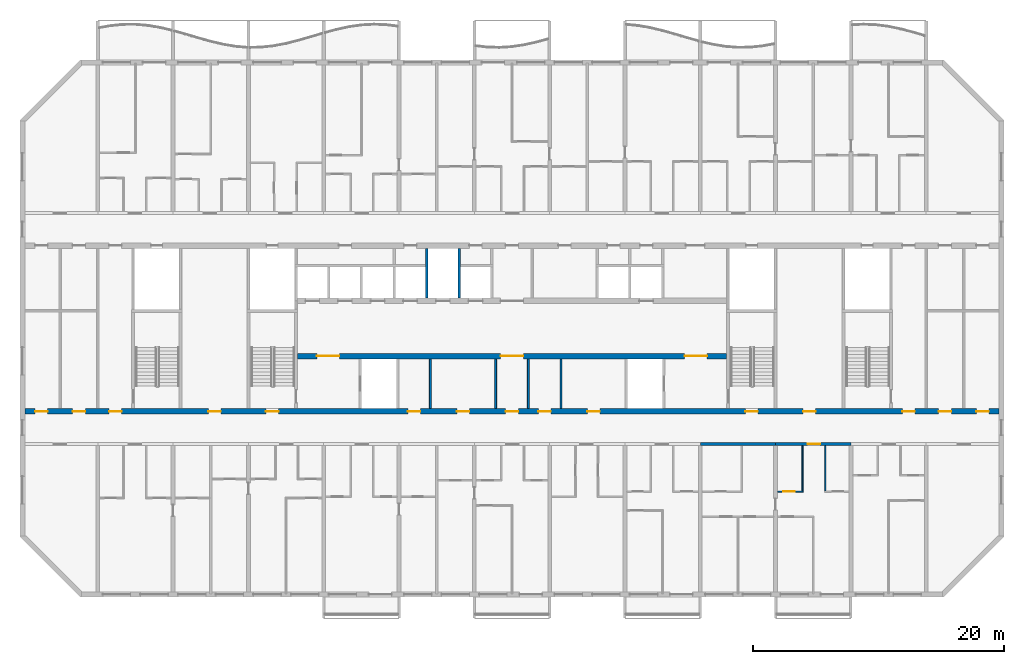
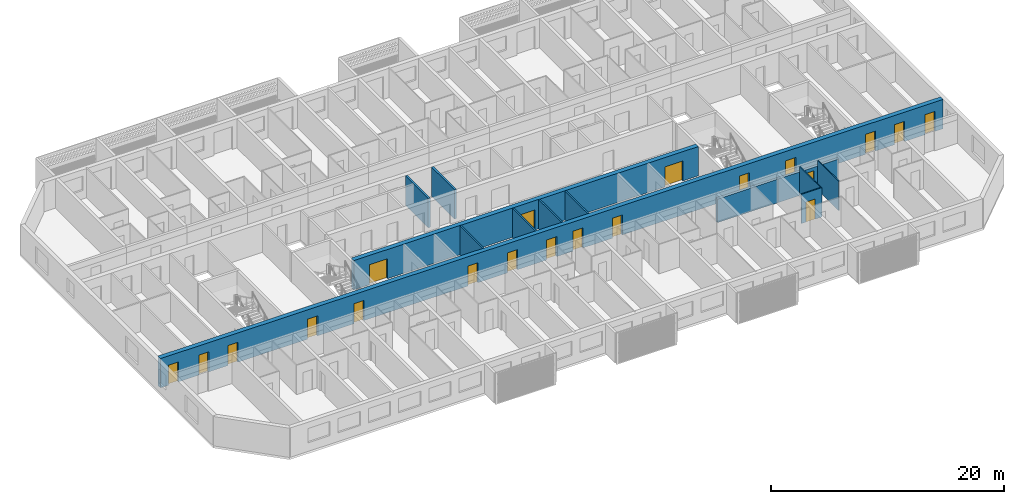
# One storey, part 6 of 32: 20 doors, 13 walls, 20 openings.
"""IFC4 building model written with IfcOpenShell, lengths in metres."""

from ifc_helpers import new_model, si_unit, direction, frame, frame_2d, origin, place, context, subcontext, project, spatial, rectangle, extrude, material, layer, layer_set, type_object, element, fill, save


model = new_model("IFC4")

# Units and contexts
model_context = context("Model", 3, precision=1e-05, world=origin(), true_north=direction((0.0, 1.0)))
body_context = subcontext(model_context, "Body", "Model", "MODEL_VIEW")
ifc_project = project(units=[si_unit("LENGTHUNIT", "METRE"), si_unit("AREAUNIT", "SQUARE_METRE"), si_unit("VOLUMEUNIT", "CUBIC_METRE"), si_unit("PLANEANGLEUNIT", "RADIAN"), si_unit("MASSUNIT", "GRAM", prefix="KILO")], contexts=[model_context])

# Site, building, storey
site_placement = place(None, origin())
site = spatial("IfcSite", under=ifc_project, at=site_placement, CompositionType="ELEMENT")
building_placement = place(site_placement, origin())
building = spatial("IfcBuilding", under=site, at=building_placement, Name="Poui Terraces", CompositionType="ELEMENT")
storey_placement = place(building_placement, frame((0.0, 0.0, 125.699951171875)))
storey = spatial("IfcBuildingStorey", under=building, at=storey_placement, Name="L34", CompositionType="ELEMENT", Elevation=125.699951171875)

# Wall, openings, doors
ifc_material_1 = material(Name="Concrete 65 MPa", Category="concrete")
ifc_layer_1 = layer(ifc_material_1, 0.449951171875)
ifc_layer_set_1 = layer_set([ifc_layer_1], Name="Concrete 65 MPa")
wall_type_1 = type_object("IfcWallType", Name="CORE WALL 450 65 MPA", PredefinedType="SOLIDWALL", material=ifc_layer_set_1)
wall_1_placement = place(storey_placement, frame((33.925048828125, 19.0, 0.0), z_axis=(0.0, 0.0, 1.0), x_axis=(1.0, 0.0, 0.0)))
wall_1 = element("IfcWall", 1, at=wall_1_placement, inside=storey, type_object=wall_type_1, Name="CORE WALL", PredefinedType="SOLIDWALL", context=body_context, shape_type="SweptSolid", body=[
    extrude(rectangle(XDim=34.14990234375, YDim=0.449951171875, at=frame_2d((17.074951171875, 0.0))), origin(), (0.0, 0.0, 1.0), 3.070068359375),
])
opening_1_placement = place(wall_1_placement, frame((16.175048828125, 0.0, 0.0)))
opening_1 = element("IfcOpeningElement", 2, at=opening_1_placement, cuts=wall_1, Name="Opening FDD60", PredefinedType="OPENING", context=body_context, shape_type="SweptSolid", body=[
    extrude(rectangle(XDim=1.800048828125, YDim=2.10009765625, at=frame_2d((0.89990234375, 1.050048828125))), frame((0.0, 0.23486328125, 0.0), z_axis=(0.0, -1.0, 0.0), x_axis=(1.0, 0.0, 0.0)), (0.0, 0.0, 1.0), 0.469970703125),
])
opening_2_placement = place(wall_1_placement, frame((1.52490234375, 0.0, 0.0)))
opening_2 = element("IfcOpeningElement", 3, at=opening_2_placement, cuts=wall_1, Name="Opening FDD60", PredefinedType="OPENING", context=body_context, shape_type="SweptSolid", body=[
    extrude(rectangle(XDim=1.800048828125, YDim=2.10009765625, at=frame_2d((0.89990234375, 1.050048828125))), frame((0.0, 0.23486328125, 0.0), z_axis=(0.0, -1.0, 0.0), x_axis=(1.0, 0.0, 0.0)), (0.0, 0.0, 1.0), 0.469970703125),
])
opening_3_placement = place(wall_1_placement, frame((30.824951171875, 0.0, 0.0)))
opening_3 = element("IfcOpeningElement", 4, at=opening_3_placement, cuts=wall_1, Name="Opening FDD60", PredefinedType="OPENING", context=body_context, shape_type="SweptSolid", body=[
    extrude(rectangle(XDim=1.800048828125, YDim=2.10009765625, at=frame_2d((0.89990234375, 1.050048828125))), frame((0.0, 0.23486328125, 0.0), z_axis=(0.0, -1.0, 0.0), x_axis=(1.0, 0.0, 0.0)), (0.0, 0.0, 1.0), 0.469970703125),
])
ifc_material_2 = material(Name="Steel fire door", Category="steel")
door_type_1 = type_object("IfcDoorType", Name="DOUBLE LOBBY FIRE DOOR 1800 X 2100", OperationType="DOUBLE_DOOR_SINGLE_SWING", PredefinedType="DOOR", material=ifc_material_2)
door_1_placement = place(opening_1_placement, frame((1.800048828125, 0.0, 0.0), z_axis=(0.0, 0.0, 1.0), x_axis=(-1.0, 0.0, 0.0)))
door_1 = element("IfcDoor", 5, at=door_1_placement, inside=storey, type_object=door_type_1, Name="DOUBLE LOBBY FIRE DOOR 126", OperationType="DOUBLE_DOOR_SINGLE_SWING", OverallHeight=2.10009765625, OverallWidth=1.800048828125, PredefinedType="DOOR", context=body_context, shape_type="SweptSolid", body=[
    extrude(rectangle(XDim=1.800048828125, YDim=2.10009765625, at=frame_2d((0.89990234375, 1.050048828125))), frame((0.0, 0.02490234375, 0.0), z_axis=(0.0, -1.0, 0.0), x_axis=(1.0, 0.0, 0.0)), (0.0, 0.0, 1.0), 0.050048828125),
])
fill(opening_1, door_1)
door_2_placement = place(opening_2_placement, origin())
door_2 = element("IfcDoor", 6, at=door_2_placement, inside=storey, type_object=door_type_1, Name="DOUBLE LOBBY FIRE DOOR 128", OperationType="DOUBLE_DOOR_SINGLE_SWING", OverallHeight=2.10009765625, OverallWidth=1.800048828125, PredefinedType="DOOR", context=body_context, shape_type="SweptSolid", body=[
    extrude(rectangle(XDim=1.800048828125, YDim=2.10009765625, at=frame_2d((0.89990234375, 1.050048828125))), frame((0.0, 0.02490234375, 0.0), z_axis=(0.0, -1.0, 0.0), x_axis=(1.0, 0.0, 0.0)), (0.0, 0.0, 1.0), 0.050048828125),
])
fill(opening_2, door_2)
door_3_placement = place(opening_3_placement, origin())
door_3 = element("IfcDoor", 7, at=door_3_placement, inside=storey, type_object=door_type_1, Name="DOUBLE LOBBY FIRE DOOR 135", OperationType="DOUBLE_DOOR_SINGLE_SWING", OverallHeight=2.10009765625, OverallWidth=1.800048828125, PredefinedType="DOOR", context=body_context, shape_type="SweptSolid", body=[
    extrude(rectangle(XDim=1.800048828125, YDim=2.10009765625, at=frame_2d((0.89990234375, 1.050048828125))), frame((0.0, 0.02490234375, 0.0), z_axis=(0.0, -1.0, 0.0), x_axis=(1.0, 0.0, 0.0)), (0.0, 0.0, 1.0), 0.050048828125),
])
fill(opening_3, door_3)

# Walls
ifc_material_3 = material(Name="Fire-rated plasterboard wall")
ifc_layer_2 = layer(ifc_material_3, 0.14990234375)
ifc_layer_set_2 = layer_set([ifc_layer_2], Name="Fire-rated plasterboard wall")
wall_type_2 = type_object("IfcWallType", Name="CORRIDOR WALL 150", PredefinedType="PARTITIONING", material=ifc_layer_set_2)
for number, where, z_axis, x_axis, name in (
    (8, (49.699951171875, 14.8349609375, 0.0), (0.0, 0.0, 1.0), (0.0, 1.0, 0.0), "CORRIDOR WALL 150"),
    (9, (52.300048828125, 14.8349609375, 0.0), (0.0, 0.0, 1.0), (0.0, 1.0, 0.0), "CORRIDOR WALL 150"),
):
    element("IfcWall", number, at=place(storey_placement, frame(where, z_axis=z_axis, x_axis=x_axis)), inside=storey, type_object=wall_type_2, Name=name, PredefinedType="PARTITIONING", context=body_context, shape_type="SweptSolid", body=[
        extrude(rectangle(XDim=3.929931640625, YDim=0.14990234375, at=frame_2d((1.96484375, 0.0))), origin(), (0.0, 0.0, 1.0), 3.070068359375),
    ])
ifc_layer_3 = layer(ifc_material_1, 0.25)
ifc_layer_set_3 = layer_set([ifc_layer_3], Name="Concrete 65 MPa")
wall_type_3 = type_object("IfcWallType", Name="CORRIDOR WALL 250 65MPa", PredefinedType="SHEAR", material=ifc_layer_set_3)
wall_2_placement = place(storey_placement, frame((66.0, 12.0, 0.0), z_axis=(0.0, 0.0, 1.0), x_axis=(1.0, 0.0, 0.0)))
element("IfcWall", 10, at=wall_2_placement, inside=storey, type_object=wall_type_3, Name="CORRIDOR WALL LINE B BAY 10", PredefinedType="SHEAR", context=body_context, shape_type="SweptSolid", body=[
    extrude(rectangle(XDim=6.0, YDim=0.25, at=frame_2d((3.0, 0.0))), origin(), (0.0, 0.0, 1.0), 2.469970703125),
])

# Wall, opening, door
wall_3_placement = place(storey_placement, frame((72.0, 12.0, 0.0), z_axis=(0.0, 0.0, 1.0), x_axis=(1.0, 0.0, 0.0)))
wall_3 = element("IfcWall", 11, at=wall_3_placement, inside=storey, type_object=wall_type_3, Name="CORRIDOR WALL LINE B BAY 11", PredefinedType="SHEAR", context=body_context, shape_type="SweptSolid", body=[
    extrude(rectangle(XDim=6.0, YDim=0.25, at=frame_2d((3.0, 0.0))), origin(), (0.0, 0.0, 1.0), 2.469970703125),
])
opening_4_placement = place(wall_3_placement, frame((2.550048828125, 0.0, 0.0)))
opening_4 = element("IfcOpeningElement", 12, at=opening_4_placement, cuts=wall_3, Name="Opening FD30S", PredefinedType="OPENING", context=body_context, shape_type="SweptSolid", body=[
    extrude(rectangle(XDim=1.0, YDim=2.10009765625, at=frame_2d((0.5, 1.050048828125))), frame((0.0, 0.135009765625, 0.0), z_axis=(0.0, -1.0, 0.0), x_axis=(1.0, 0.0, 0.0)), (0.0, 0.0, 1.0), 0.27001953125),
])
door_type_2 = type_object("IfcDoorType", Name="FLAT ENTRANCE DOOR 1000 X 2100", OperationType="NOTDEFINED", PredefinedType="DOOR", material=ifc_material_2)
door_4_placement = place(opening_4_placement, frame((1.0, 0.0, 0.0), z_axis=(0.0, 0.0, 1.0), x_axis=(-1.0, 0.0, 0.0)))
door_4 = element("IfcDoor", 13, at=door_4_placement, inside=storey, type_object=door_type_2, Name="FLAT ENTRANCE DOOR 114", OperationType="SINGLE_SWING_LEFT", OverallHeight=2.10009765625, OverallWidth=1.0, PredefinedType="DOOR", context=body_context, shape_type="SweptSolid", body=[
    extrude(rectangle(XDim=1.0, YDim=2.10009765625, at=frame_2d((0.5, 1.050048828125))), frame((0.0, 0.02490234375, 0.0), z_axis=(0.0, -1.0, 0.0), x_axis=(1.0, 0.0, 0.0)), (0.0, 0.0, 1.0), 0.050048828125),
])
fill(opening_4, door_4)

ifc_material_4 = material(Name="Plasterboard partition")
ifc_layer_4 = layer(ifc_material_4, 0.10009765625)
ifc_layer_set_4 = layer_set([ifc_layer_4], Name="Plasterboard partition")
wall_type_4 = type_object("IfcWallType", Name="FLAT PARTITION 100", PredefinedType="PARTITIONING", material=ifc_layer_set_4)
wall_4_placement = place(storey_placement, frame((72.159912109375, 8.199951171875, 0.0), z_axis=(0.0, 0.0, 1.0), x_axis=(1.0, 0.0, 0.0)))
wall_4 = element("IfcWall", 14, at=wall_4_placement, inside=storey, type_object=wall_type_4, Name="FLAT PARTITION 100", PredefinedType="PARTITIONING", context=body_context, shape_type="SweptSolid", body=[
    extrude(rectangle(XDim=2.0400390625, YDim=0.10009765625, at=frame_2d((1.02001953125, 0.0))), origin(), (0.0, 0.0, 1.0), 3.070068359375),
])
opening_5_placement = place(wall_4_placement, frame((0.465087890625, 0.0, 0.0)))
opening_5 = element("IfcOpeningElement", 15, at=opening_5_placement, cuts=wall_4, Name="Opening D90", PredefinedType="OPENING", context=body_context, shape_type="SweptSolid", body=[
    extrude(rectangle(XDim=0.89990234375, YDim=2.10009765625, at=frame_2d((0.449951171875, 1.050048828125))), frame((0.0, 0.06005859375, 0.0), z_axis=(0.0, -1.0, 0.0), x_axis=(1.0, 0.0, 0.0)), (0.0, 0.0, 1.0), 0.1201171875),
])
ifc_material_5 = material(Name="Solid core timber door", Category="wood")
door_type_3 = type_object("IfcDoorType", Name="INTERNAL DOOR 900 X 2100", OperationType="NOTDEFINED", PredefinedType="DOOR", material=ifc_material_5)
door_5_placement = place(opening_5_placement, origin())
door_5 = element("IfcDoor", 16, at=door_5_placement, inside=storey, type_object=door_type_3, Name="INTERNAL DOOR 113", OperationType="SINGLE_SWING_LEFT", OverallHeight=2.10009765625, OverallWidth=0.89990234375, PredefinedType="DOOR", context=body_context, shape_type="SweptSolid", body=[
    extrude(rectangle(XDim=0.89990234375, YDim=2.10009765625, at=frame_2d((0.449951171875, 1.050048828125))), frame((0.0, 0.02490234375, 0.0), z_axis=(0.0, -1.0, 0.0), x_axis=(1.0, 0.0, 0.0)), (0.0, 0.0, 1.0), 0.050048828125),
])
fill(opening_5, door_5)

# Walls
for number, where, z_axis, x_axis, name in (
    (17, (74.14990234375, 8.25, 0.0), (0.0, 0.0, 1.0), (0.0, 1.0, 0.0), "FLAT PARTITION 100"),
    (18, (75.949951171875, 8.25, 0.0), (0.0, 0.0, 1.0), (0.0, 1.0, 0.0), "FLAT PARTITION 100"),
):
    element("IfcWall", number, at=place(storey_placement, frame(where, z_axis=z_axis, x_axis=x_axis)), inside=storey, type_object=wall_type_4, Name=name, PredefinedType="PARTITIONING", context=body_context, shape_type="SweptSolid", body=[
        extrude(rectangle(XDim=3.614990234375, YDim=0.10009765625, at=frame_2d((1.8076171875, 0.0))), origin(), (0.0, 0.0, 1.0), 3.070068359375),
    ])
ifc_layer_5 = layer(ifc_material_4, 0.14990234375)
ifc_layer_set_5 = layer_set([ifc_layer_5], Name="Plasterboard partition")
wall_type_5 = type_object("IfcWallType", Name="PARTITION WALL 150", PredefinedType="PARTITIONING", material=ifc_layer_set_5)
for number, where, z_axis, x_axis, name in (
    (19, (44.5, 14.8349609375, 0.0), (0.0, 0.0, 1.0), (0.0, 1.0, 0.0), "PARTITION WALL 150"),
    (20, (54.89990234375, 14.8349609375, 0.0), (0.0, 0.0, 1.0), (0.0, 1.0, 0.0), "PARTITION WALL 150"),
):
    element("IfcWall", number, at=place(storey_placement, frame(where, z_axis=z_axis, x_axis=x_axis)), inside=storey, type_object=wall_type_5, Name=name, PredefinedType="PARTITIONING", context=body_context, shape_type="SweptSolid", body=[
        extrude(rectangle(XDim=3.929931640625, YDim=0.14990234375, at=frame_2d((1.96484375, 0.0))), origin(), (0.0, 0.0, 1.0), 3.070068359375),
    ])
ifc_material_6 = material(Name="Fire-rated masonry shaft wall", Category="masonry")
ifc_layer_6 = layer(ifc_material_6, 0.199951171875)
ifc_layer_set_6 = layer_set([ifc_layer_6], Name="Fire-rated masonry shaft wall")
wall_type_6 = type_object("IfcWallType", Name="SHAFT WALL 200", PredefinedType="PARTITIONING", material=ifc_layer_set_6)
for number, where, z_axis, x_axis, name in (
    (21, (44.199951171875, 23.635009765625, 0.0), (0.0, 0.0, 1.0), (0.0, 1.0, 0.0), "SHAFT WALL 200"),
    (22, (46.800048828125, 23.635009765625, 0.0), (0.0, 0.0, 1.0), (0.0, 1.0, 0.0), "SHAFT WALL 200"),
):
    element("IfcWall", number, at=place(storey_placement, frame(where, z_axis=z_axis, x_axis=x_axis)), inside=storey, type_object=wall_type_6, Name=name, PredefinedType="PARTITIONING", context=body_context, shape_type="SweptSolid", body=[
        extrude(rectangle(XDim=3.929931640625, YDim=0.199951171875, at=frame_2d((1.96484375, 0.0))), origin(), (0.0, 0.0, 1.0), 3.070068359375),
    ])

# Wall, openings, doors
ifc_layer_7 = layer(ifc_material_1, 0.449951171875)
ifc_layer_set_7 = layer_set([ifc_layer_7], Name="Concrete 65 MPa")
wall_type_7 = type_object("IfcWallType", Name="SPINE WALL 450 65 MPA", PredefinedType="SOLIDWALL", material=ifc_layer_set_7)
wall_5_placement = place(storey_placement, frame((12.199951171875, 14.60009765625, 0.0), z_axis=(0.0, 0.0, 1.0), x_axis=(1.0, 0.0, 0.0)))
wall_5 = element("IfcWall", 23, at=wall_5_placement, inside=storey, type_object=wall_type_7, Name="SPINE WALL", PredefinedType="SOLIDWALL", context=body_context, shape_type="SweptSolid", body=[
    extrude(rectangle(XDim=77.60009765625, YDim=0.449951171875, at=frame_2d((38.800048828125, 0.0))), origin(), (0.0, 0.0, 1.0), 3.070068359375),
])
opening_6_placement = place(wall_5_placement, frame((0.800048828125, 0.0, 0.0)))
opening_6 = element("IfcOpeningElement", 24, at=opening_6_placement, cuts=wall_5, Name="Opening D100", PredefinedType="OPENING", context=body_context, shape_type="SweptSolid", body=[
    extrude(rectangle(XDim=1.0, YDim=2.10009765625, at=frame_2d((0.5, 1.050048828125))), frame((0.0, 0.23486328125, 0.0), z_axis=(0.0, -1.0, 0.0), x_axis=(1.0, 0.0, 0.0)), (0.0, 0.0, 1.0), 0.469970703125),
])
opening_7_placement = place(wall_5_placement, frame((3.800048828125, 0.0, 0.0)))
opening_7 = element("IfcOpeningElement", 25, at=opening_7_placement, cuts=wall_5, Name="Opening FD60", PredefinedType="OPENING", context=body_context, shape_type="SweptSolid", body=[
    extrude(rectangle(XDim=1.0, YDim=2.10009765625, at=frame_2d((0.5, 1.050048828125))), frame((0.0, 0.23486328125, 0.0), z_axis=(0.0, -1.0, 0.0), x_axis=(1.0, 0.0, 0.0)), (0.0, 0.0, 1.0), 0.469970703125),
])
opening_8_placement = place(wall_5_placement, frame((6.699951171875, 0.0, 0.0)))
opening_8 = element("IfcOpeningElement", 26, at=opening_8_placement, cuts=wall_5, Name="Opening FDL", PredefinedType="OPENING", context=body_context, shape_type="SweptSolid", body=[
    extrude(rectangle(XDim=1.0, YDim=2.10009765625, at=frame_2d((0.5, 1.050048828125))), frame((0.0, 0.23486328125, 0.0), z_axis=(0.0, -1.0, 0.0), x_axis=(1.0, 0.0, 0.0)), (0.0, 0.0, 1.0), 0.469970703125),
])
opening_9_placement = place(wall_5_placement, frame((14.60009765625, 0.0, 0.0)))
opening_9 = element("IfcOpeningElement", 27, at=opening_9_placement, cuts=wall_5, Name="Opening D100", PredefinedType="OPENING", context=body_context, shape_type="SweptSolid", body=[
    extrude(rectangle(XDim=1.0, YDim=2.10009765625, at=frame_2d((0.5, 1.050048828125))), frame((0.0, 0.23486328125, 0.0), z_axis=(0.0, -1.0, 0.0), x_axis=(1.0, 0.0, 0.0)), (0.0, 0.0, 1.0), 0.469970703125),
])
opening_10_placement = place(wall_5_placement, frame((19.199951171875, 0.0, 0.0)))
opening_10 = element("IfcOpeningElement", 28, at=opening_10_placement, cuts=wall_5, Name="Opening FD60S", PredefinedType="OPENING", context=body_context, shape_type="SweptSolid", body=[
    extrude(rectangle(XDim=1.0, YDim=2.10009765625, at=frame_2d((0.5, 1.050048828125))), frame((0.0, 0.23486328125, 0.0), z_axis=(0.0, -1.0, 0.0), x_axis=(1.0, 0.0, 0.0)), (0.0, 0.0, 1.0), 0.469970703125),
])
opening_11_placement = place(wall_5_placement, frame((30.5, 0.0, 0.0)))
opening_11 = element("IfcOpeningElement", 29, at=opening_11_placement, cuts=wall_5, Name="Opening FD60", PredefinedType="OPENING", context=body_context, shape_type="SweptSolid", body=[
    extrude(rectangle(XDim=1.0, YDim=2.10009765625, at=frame_2d((0.5, 1.050048828125))), frame((0.0, 0.23486328125, 0.0), z_axis=(0.0, -1.0, 0.0), x_axis=(1.0, 0.0, 0.0)), (0.0, 0.0, 1.0), 0.469970703125),
])
opening_12_placement = place(wall_5_placement, frame((34.39990234375, 0.0, 0.0)))
opening_12 = element("IfcOpeningElement", 30, at=opening_12_placement, cuts=wall_5, Name="Opening FD60", PredefinedType="OPENING", context=body_context, shape_type="SweptSolid", body=[
    extrude(rectangle(XDim=1.0, YDim=2.10009765625, at=frame_2d((0.5, 1.050048828125))), frame((0.0, 0.23486328125, 0.0), z_axis=(0.0, -1.0, 0.0), x_axis=(1.0, 0.0, 0.0)), (0.0, 0.0, 1.0), 0.469970703125),
])
opening_13_placement = place(wall_5_placement, frame((38.300048828125, 0.0, 0.0)))
opening_13 = element("IfcOpeningElement", 31, at=opening_13_placement, cuts=wall_5, Name="Opening FDL", PredefinedType="OPENING", context=body_context, shape_type="SweptSolid", body=[
    extrude(rectangle(XDim=1.0, YDim=2.10009765625, at=frame_2d((0.5, 1.050048828125))), frame((0.0, 0.23486328125, 0.0), z_axis=(0.0, -1.0, 0.0), x_axis=(1.0, 0.0, 0.0)), (0.0, 0.0, 1.0), 0.469970703125),
])
opening_14_placement = place(wall_5_placement, frame((40.89990234375, 0.0, 0.0)))
opening_14 = element("IfcOpeningElement", 32, at=opening_14_placement, cuts=wall_5, Name="Opening FD60", PredefinedType="OPENING", context=body_context, shape_type="SweptSolid", body=[
    extrude(rectangle(XDim=1.0, YDim=2.10009765625, at=frame_2d((0.5, 1.050048828125))), frame((0.0, 0.23486328125, 0.0), z_axis=(0.0, -1.0, 0.0), x_axis=(1.0, 0.0, 0.0)), (0.0, 0.0, 1.0), 0.469970703125),
])
opening_15_placement = place(wall_5_placement, frame((44.800048828125, 0.0, 0.0)))
opening_15 = element("IfcOpeningElement", 33, at=opening_15_placement, cuts=wall_5, Name="Opening FD60", PredefinedType="OPENING", context=body_context, shape_type="SweptSolid", body=[
    extrude(rectangle(XDim=1.0, YDim=2.10009765625, at=frame_2d((0.5, 1.050048828125))), frame((0.0, 0.23486328125, 0.0), z_axis=(0.0, -1.0, 0.0), x_axis=(1.0, 0.0, 0.0)), (0.0, 0.0, 1.0), 0.469970703125),
])
opening_16_placement = place(wall_5_placement, frame((57.39990234375, 0.0, 0.0)))
opening_16 = element("IfcOpeningElement", 34, at=opening_16_placement, cuts=wall_5, Name="Opening FD60S", PredefinedType="OPENING", context=body_context, shape_type="SweptSolid", body=[
    extrude(rectangle(XDim=1.0, YDim=2.10009765625, at=frame_2d((0.5, 1.050048828125))), frame((0.0, 0.23486328125, 0.0), z_axis=(0.0, -1.0, 0.0), x_axis=(1.0, 0.0, 0.0)), (0.0, 0.0, 1.0), 0.469970703125),
])
opening_17_placement = place(wall_5_placement, frame((62.0, 0.0, 0.0)))
opening_17 = element("IfcOpeningElement", 35, at=opening_17_placement, cuts=wall_5, Name="Opening D100", PredefinedType="OPENING", context=body_context, shape_type="SweptSolid", body=[
    extrude(rectangle(XDim=1.0, YDim=2.10009765625, at=frame_2d((0.5, 1.050048828125))), frame((0.0, 0.23486328125, 0.0), z_axis=(0.0, -1.0, 0.0), x_axis=(1.0, 0.0, 0.0)), (0.0, 0.0, 1.0), 0.469970703125),
])
opening_18_placement = place(wall_5_placement, frame((69.89990234375, 0.0, 0.0)))
opening_18 = element("IfcOpeningElement", 36, at=opening_18_placement, cuts=wall_5, Name="Opening FDL", PredefinedType="OPENING", context=body_context, shape_type="SweptSolid", body=[
    extrude(rectangle(XDim=1.0, YDim=2.10009765625, at=frame_2d((0.5, 1.050048828125))), frame((0.0, 0.23486328125, 0.0), z_axis=(0.0, -1.0, 0.0), x_axis=(1.0, 0.0, 0.0)), (0.0, 0.0, 1.0), 0.469970703125),
])
opening_19_placement = place(wall_5_placement, frame((72.800048828125, 0.0, 0.0)))
opening_19 = element("IfcOpeningElement", 37, at=opening_19_placement, cuts=wall_5, Name="Opening FD60", PredefinedType="OPENING", context=body_context, shape_type="SweptSolid", body=[
    extrude(rectangle(XDim=1.0, YDim=2.10009765625, at=frame_2d((0.5, 1.050048828125))), frame((0.0, 0.23486328125, 0.0), z_axis=(0.0, -1.0, 0.0), x_axis=(1.0, 0.0, 0.0)), (0.0, 0.0, 1.0), 0.469970703125),
])
opening_20_placement = place(wall_5_placement, frame((75.800048828125, 0.0, 0.0)))
opening_20 = element("IfcOpeningElement", 38, at=opening_20_placement, cuts=wall_5, Name="Opening FD60", PredefinedType="OPENING", context=body_context, shape_type="SweptSolid", body=[
    extrude(rectangle(XDim=1.0, YDim=2.10009765625, at=frame_2d((0.5, 1.050048828125))), frame((0.0, 0.23486328125, 0.0), z_axis=(0.0, -1.0, 0.0), x_axis=(1.0, 0.0, 0.0)), (0.0, 0.0, 1.0), 0.469970703125),
])
door_type_4 = type_object("IfcDoorType", Name="ACCESSIBLE INTERNAL DOOR 1000 X 2100", OperationType="NOTDEFINED", PredefinedType="DOOR", material=ifc_material_5)
door_6_placement = place(opening_6_placement, frame((1.0, 0.0, 0.0), z_axis=(0.0, 0.0, 1.0), x_axis=(-1.0, 0.0, 0.0)))
door_6 = element("IfcDoor", 39, at=door_6_placement, inside=storey, type_object=door_type_4, Name="ACCESSIBLE INTERNAL DOOR 019", OperationType="SINGLE_SWING_RIGHT", OverallHeight=2.10009765625, OverallWidth=1.0, PredefinedType="DOOR", context=body_context, shape_type="SweptSolid", body=[
    extrude(rectangle(XDim=1.0, YDim=2.10009765625, at=frame_2d((0.5, 1.050048828125))), frame((0.0, 0.02490234375, 0.0), z_axis=(0.0, -1.0, 0.0), x_axis=(1.0, 0.0, 0.0)), (0.0, 0.0, 1.0), 0.050048828125),
])
fill(opening_6, door_6)
door_7_placement = place(opening_9_placement, frame((1.0, 0.0, 0.0), z_axis=(0.0, 0.0, 1.0), x_axis=(-1.0, 0.0, 0.0)))
door_7 = element("IfcDoor", 40, at=door_7_placement, inside=storey, type_object=door_type_4, Name="ACCESSIBLE INTERNAL DOOR 022", OperationType="SINGLE_SWING_RIGHT", OverallHeight=2.10009765625, OverallWidth=1.0, PredefinedType="DOOR", context=body_context, shape_type="SweptSolid", body=[
    extrude(rectangle(XDim=1.0, YDim=2.10009765625, at=frame_2d((0.5, 1.050048828125))), frame((0.0, 0.02490234375, 0.0), z_axis=(0.0, -1.0, 0.0), x_axis=(1.0, 0.0, 0.0)), (0.0, 0.0, 1.0), 0.050048828125),
])
fill(opening_9, door_7)
door_8_placement = place(opening_17_placement, frame((1.0, 0.0, 0.0), z_axis=(0.0, 0.0, 1.0), x_axis=(-1.0, 0.0, 0.0)))
door_8 = element("IfcDoor", 41, at=door_8_placement, inside=storey, type_object=door_type_4, Name="ACCESSIBLE INTERNAL DOOR 030", OperationType="SINGLE_SWING_LEFT", OverallHeight=2.10009765625, OverallWidth=1.0, PredefinedType="DOOR", context=body_context, shape_type="SweptSolid", body=[
    extrude(rectangle(XDim=1.0, YDim=2.10009765625, at=frame_2d((0.5, 1.050048828125))), frame((0.0, 0.02490234375, 0.0), z_axis=(0.0, -1.0, 0.0), x_axis=(1.0, 0.0, 0.0)), (0.0, 0.0, 1.0), 0.050048828125),
])
fill(opening_17, door_8)
door_type_5 = type_object("IfcDoorType", Name="LOBBY FIRE DOOR 1000 X 2100", OperationType="NOTDEFINED", PredefinedType="DOOR", material=ifc_material_2)
door_9_placement = place(opening_8_placement, frame((1.0, 0.0, 0.0), z_axis=(0.0, 0.0, 1.0), x_axis=(-1.0, 0.0, 0.0)))
door_9 = element("IfcDoor", 42, at=door_9_placement, inside=storey, type_object=door_type_5, Name="LOBBY FIRE DOOR 021", OperationType="SINGLE_SWING_RIGHT", OverallHeight=2.10009765625, OverallWidth=1.0, PredefinedType="DOOR", context=body_context, shape_type="SweptSolid", body=[
    extrude(rectangle(XDim=1.0, YDim=2.10009765625, at=frame_2d((0.5, 1.050048828125))), frame((0.0, 0.02490234375, 0.0), z_axis=(0.0, -1.0, 0.0), x_axis=(1.0, 0.0, 0.0)), (0.0, 0.0, 1.0), 0.050048828125),
])
fill(opening_8, door_9)
door_10_placement = place(opening_13_placement, frame((1.0, 0.0, 0.0), z_axis=(0.0, 0.0, 1.0), x_axis=(-1.0, 0.0, 0.0)))
door_10 = element("IfcDoor", 43, at=door_10_placement, inside=storey, type_object=door_type_5, Name="LOBBY FIRE DOOR 026", OperationType="SINGLE_SWING_LEFT", OverallHeight=2.10009765625, OverallWidth=1.0, PredefinedType="DOOR", context=body_context, shape_type="SweptSolid", body=[
    extrude(rectangle(XDim=1.0, YDim=2.10009765625, at=frame_2d((0.5, 1.050048828125))), frame((0.0, 0.02490234375, 0.0), z_axis=(0.0, -1.0, 0.0), x_axis=(1.0, 0.0, 0.0)), (0.0, 0.0, 1.0), 0.050048828125),
])
fill(opening_13, door_10)
door_11_placement = place(opening_18_placement, frame((1.0, 0.0, 0.0), z_axis=(0.0, 0.0, 1.0), x_axis=(-1.0, 0.0, 0.0)))
door_11 = element("IfcDoor", 44, at=door_11_placement, inside=storey, type_object=door_type_5, Name="LOBBY FIRE DOOR 031", OperationType="SINGLE_SWING_LEFT", OverallHeight=2.10009765625, OverallWidth=1.0, PredefinedType="DOOR", context=body_context, shape_type="SweptSolid", body=[
    extrude(rectangle(XDim=1.0, YDim=2.10009765625, at=frame_2d((0.5, 1.050048828125))), frame((0.0, 0.02490234375, 0.0), z_axis=(0.0, -1.0, 0.0), x_axis=(1.0, 0.0, 0.0)), (0.0, 0.0, 1.0), 0.050048828125),
])
fill(opening_18, door_11)
door_type_6 = type_object("IfcDoorType", Name="SERVICE ROOM FIRE DOOR 1000 X 2100", OperationType="NOTDEFINED", PredefinedType="DOOR", material=ifc_material_2)
door_12_placement = place(opening_7_placement, frame((1.0, 0.0, 0.0), z_axis=(0.0, 0.0, 1.0), x_axis=(-1.0, 0.0, 0.0)))
door_12 = element("IfcDoor", 45, at=door_12_placement, inside=storey, type_object=door_type_6, Name="SERVICE ROOM FIRE DOOR 020", OperationType="SINGLE_SWING_LEFT", OverallHeight=2.10009765625, OverallWidth=1.0, PredefinedType="DOOR", context=body_context, shape_type="SweptSolid", body=[
    extrude(rectangle(XDim=1.0, YDim=2.10009765625, at=frame_2d((0.5, 1.050048828125))), frame((0.0, 0.02490234375, 0.0), z_axis=(0.0, -1.0, 0.0), x_axis=(1.0, 0.0, 0.0)), (0.0, 0.0, 1.0), 0.050048828125),
])
fill(opening_7, door_12)
door_13_placement = place(opening_11_placement, frame((1.0, 0.0, 0.0), z_axis=(0.0, 0.0, 1.0), x_axis=(-1.0, 0.0, 0.0)))
door_13 = element("IfcDoor", 46, at=door_13_placement, inside=storey, type_object=door_type_6, Name="SERVICE ROOM FIRE DOOR 024", OperationType="SINGLE_SWING_LEFT", OverallHeight=2.10009765625, OverallWidth=1.0, PredefinedType="DOOR", context=body_context, shape_type="SweptSolid", body=[
    extrude(rectangle(XDim=1.0, YDim=2.10009765625, at=frame_2d((0.5, 1.050048828125))), frame((0.0, 0.02490234375, 0.0), z_axis=(0.0, -1.0, 0.0), x_axis=(1.0, 0.0, 0.0)), (0.0, 0.0, 1.0), 0.050048828125),
])
fill(opening_11, door_13)
door_14_placement = place(opening_12_placement, frame((1.0, 0.0, 0.0), z_axis=(0.0, 0.0, 1.0), x_axis=(-1.0, 0.0, 0.0)))
door_14 = element("IfcDoor", 47, at=door_14_placement, inside=storey, type_object=door_type_6, Name="SERVICE ROOM FIRE DOOR 025", OperationType="SINGLE_SWING_RIGHT", OverallHeight=2.10009765625, OverallWidth=1.0, PredefinedType="DOOR", context=body_context, shape_type="SweptSolid", body=[
    extrude(rectangle(XDim=1.0, YDim=2.10009765625, at=frame_2d((0.5, 1.050048828125))), frame((0.0, 0.02490234375, 0.0), z_axis=(0.0, -1.0, 0.0), x_axis=(1.0, 0.0, 0.0)), (0.0, 0.0, 1.0), 0.050048828125),
])
fill(opening_12, door_14)
door_15_placement = place(opening_14_placement, frame((1.0, 0.0, 0.0), z_axis=(0.0, 0.0, 1.0), x_axis=(-1.0, 0.0, 0.0)))
door_15 = element("IfcDoor", 48, at=door_15_placement, inside=storey, type_object=door_type_6, Name="SERVICE ROOM FIRE DOOR 027", OperationType="SINGLE_SWING_LEFT", OverallHeight=2.10009765625, OverallWidth=1.0, PredefinedType="DOOR", context=body_context, shape_type="SweptSolid", body=[
    extrude(rectangle(XDim=1.0, YDim=2.10009765625, at=frame_2d((0.5, 1.050048828125))), frame((0.0, 0.02490234375, 0.0), z_axis=(0.0, -1.0, 0.0), x_axis=(1.0, 0.0, 0.0)), (0.0, 0.0, 1.0), 0.050048828125),
])
fill(opening_14, door_15)
door_16_placement = place(opening_15_placement, frame((1.0, 0.0, 0.0), z_axis=(0.0, 0.0, 1.0), x_axis=(-1.0, 0.0, 0.0)))
door_16 = element("IfcDoor", 49, at=door_16_placement, inside=storey, type_object=door_type_6, Name="SERVICE ROOM FIRE DOOR 028", OperationType="SINGLE_SWING_RIGHT", OverallHeight=2.10009765625, OverallWidth=1.0, PredefinedType="DOOR", context=body_context, shape_type="SweptSolid", body=[
    extrude(rectangle(XDim=1.0, YDim=2.10009765625, at=frame_2d((0.5, 1.050048828125))), frame((0.0, 0.02490234375, 0.0), z_axis=(0.0, -1.0, 0.0), x_axis=(1.0, 0.0, 0.0)), (0.0, 0.0, 1.0), 0.050048828125),
])
fill(opening_15, door_16)
door_17_placement = place(opening_19_placement, frame((1.0, 0.0, 0.0), z_axis=(0.0, 0.0, 1.0), x_axis=(-1.0, 0.0, 0.0)))
door_17 = element("IfcDoor", 50, at=door_17_placement, inside=storey, type_object=door_type_6, Name="SERVICE ROOM FIRE DOOR 032", OperationType="SINGLE_SWING_RIGHT", OverallHeight=2.10009765625, OverallWidth=1.0, PredefinedType="DOOR", context=body_context, shape_type="SweptSolid", body=[
    extrude(rectangle(XDim=1.0, YDim=2.10009765625, at=frame_2d((0.5, 1.050048828125))), frame((0.0, 0.02490234375, 0.0), z_axis=(0.0, -1.0, 0.0), x_axis=(1.0, 0.0, 0.0)), (0.0, 0.0, 1.0), 0.050048828125),
])
fill(opening_19, door_17)
door_18_placement = place(opening_20_placement, frame((1.0, 0.0, 0.0), z_axis=(0.0, 0.0, 1.0), x_axis=(-1.0, 0.0, 0.0)))
door_18 = element("IfcDoor", 51, at=door_18_placement, inside=storey, type_object=door_type_6, Name="SERVICE ROOM FIRE DOOR 033", OperationType="SINGLE_SWING_LEFT", OverallHeight=2.10009765625, OverallWidth=1.0, PredefinedType="DOOR", context=body_context, shape_type="SweptSolid", body=[
    extrude(rectangle(XDim=1.0, YDim=2.10009765625, at=frame_2d((0.5, 1.050048828125))), frame((0.0, 0.02490234375, 0.0), z_axis=(0.0, -1.0, 0.0), x_axis=(1.0, 0.0, 0.0)), (0.0, 0.0, 1.0), 0.050048828125),
])
fill(opening_20, door_18)
door_type_7 = type_object("IfcDoorType", Name="STAIR DOOR 1000 X 2100", OperationType="NOTDEFINED", PredefinedType="DOOR", material=ifc_material_2)
door_19_placement = place(opening_10_placement, origin())
door_19 = element("IfcDoor", 52, at=door_19_placement, inside=storey, type_object=door_type_7, Name="STAIR DOOR 023", OperationType="SINGLE_SWING_RIGHT", OverallHeight=2.10009765625, OverallWidth=1.0, PredefinedType="DOOR", context=body_context, shape_type="SweptSolid", body=[
    extrude(rectangle(XDim=1.0, YDim=2.10009765625, at=frame_2d((0.5, 1.050048828125))), frame((0.0, 0.02490234375, 0.0), z_axis=(0.0, -1.0, 0.0), x_axis=(1.0, 0.0, 0.0)), (0.0, 0.0, 1.0), 0.050048828125),
])
fill(opening_10, door_19)
door_20_placement = place(opening_16_placement, origin())
door_20 = element("IfcDoor", 53, at=door_20_placement, inside=storey, type_object=door_type_7, Name="STAIR DOOR 029", OperationType="SINGLE_SWING_RIGHT", OverallHeight=2.10009765625, OverallWidth=1.0, PredefinedType="DOOR", context=body_context, shape_type="SweptSolid", body=[
    extrude(rectangle(XDim=1.0, YDim=2.10009765625, at=frame_2d((0.5, 1.050048828125))), frame((0.0, 0.02490234375, 0.0), z_axis=(0.0, -1.0, 0.0), x_axis=(1.0, 0.0, 0.0)), (0.0, 0.0, 1.0), 0.050048828125),
])
fill(opening_16, door_20)

save(model, "model.ifc")
